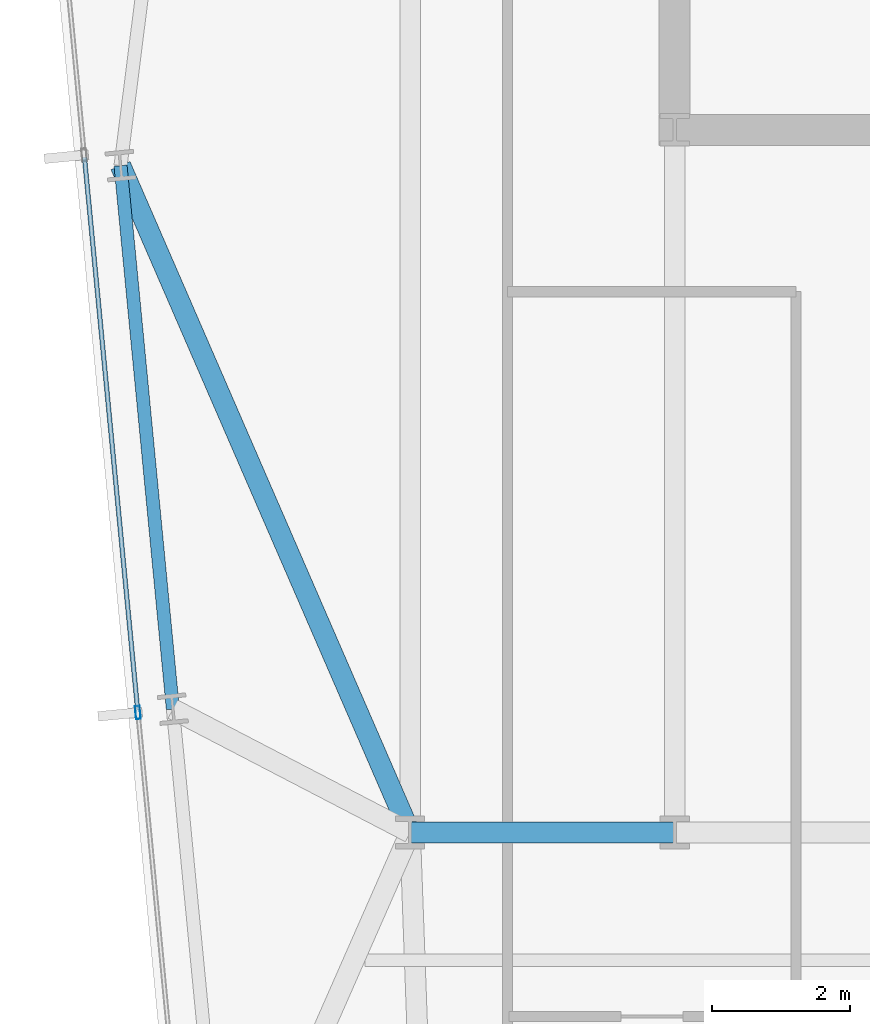
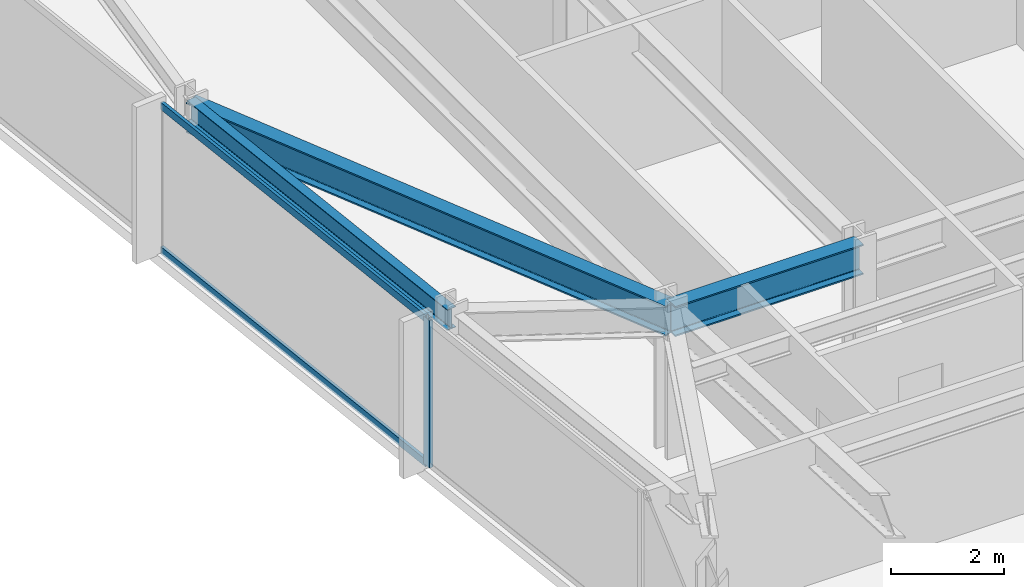
# One storey, part 6 of 33: 3 beams, 3 members, 1 element without a shape of its own.
"""IFC4 building model written with IfcOpenShell, lengths in metres."""

from ifc_helpers import new_model, si_unit, direction, frame, origin, origin_2d, place, context, subcontext, project, spatial, hollow_rectangle, i_section, extrude, material, material_profile, profile_set, type_object, element, aggregate, save


model = new_model("IFC4")

# Units and contexts
model_context = context("Model", 3, precision=1e-05, world=origin(), true_north=direction((0.0, 1.0)))
body_context = subcontext(model_context, "Body", "Model", "MODEL_VIEW")
ifc_project = project(units=[si_unit("LENGTHUNIT", "METRE"), si_unit("AREAUNIT", "SQUARE_METRE"), si_unit("VOLUMEUNIT", "CUBIC_METRE"), si_unit("PLANEANGLEUNIT", "RADIAN"), si_unit("MASSUNIT", "GRAM", prefix="KILO")], contexts=[model_context])

# Site, building, storey
site_placement = place(None, origin())
site = spatial("IfcSite", under=ifc_project, at=site_placement, CompositionType="ELEMENT")
building_placement = place(site_placement, origin())
building = spatial("IfcBuilding", under=site, at=building_placement, Name="Yelkora Congress Tower", CompositionType="ELEMENT")
storey_placement = place(building_placement, frame((0.0, 0.0, 123.699951171875)))
storey = spatial("IfcBuildingStorey", under=building, at=storey_placement, Name="L33", CompositionType="ELEMENT", Elevation=123.699951171875)

# Beams
ifc_material_1 = material(Name="Steel S355J2", Category="steel")
ifc_material_profile_1 = material_profile(ifc_material_1, i_section(OverallWidth=0.300048828125, OverallDepth=0.64990234375, WebThickness=0.01611328125, FlangeThickness=0.031005859375, FilletRadius=0.027099609375, at=origin_2d()), Name="HEB 650")
ifc_profile_set_1 = profile_set([ifc_material_profile_1], Name="Steel S355J2")
beam_type_1 = type_object("IfcBeamType", Name="BM-GIRD-HEB650", PredefinedType="BEAM", material=ifc_profile_set_1)
beam_1_placement = place(storey_placement, frame((19.199951171875, 25.199951171875, 2.85498046875), z_axis=(1.0, 0.0, 0.0), x_axis=(0.0, 1.0, 0.0)))
element("IfcBeam", 1, at=beam_1_placement, inside=storey, type_object=beam_type_1, Name="L33 Spine Grid D Girder 1", PredefinedType="BEAM", context=body_context, shape_type="SweptSolid", body=[
    extrude(i_section(OverallWidth=0.300048828125, OverallDepth=0.64990234375, WebThickness=0.01611328125, FlangeThickness=0.031005859375, FilletRadius=0.027099609375, at=origin_2d()), origin(), (0.0, 0.0, 1.0), 3.840087890625),
])
beam_2_placement = place(storey_placement, frame((14.997314453125, 34.87890625, 2.85498046875), z_axis=(0.398279362914, -0.917264165373, 0.0), x_axis=(0.917264165373, 0.398279362914, 0.0)))
element("IfcBeam", 2, at=beam_2_placement, inside=storey, type_object=beam_type_1, Name="L33 Primary Frame Girder W03", PredefinedType="BEAM", context=body_context, shape_type="SweptSolid", body=[
    extrude(i_section(OverallWidth=0.300048828125, OverallDepth=0.64990234375, WebThickness=0.01611328125, FlangeThickness=0.031005859375, FilletRadius=0.027099609375, at=origin_2d()), origin(), (0.0, 0.0, 1.0), 10.552001953125),
])
ifc_material_profile_2 = material_profile(ifc_material_1, i_section(OverallWidth=0.18994140625, OverallDepth=0.449951171875, WebThickness=0.009521484375, FlangeThickness=0.0146484375, FilletRadius=0.02099609375, at=origin_2d()), Name="IPE 450")
ifc_profile_set_2 = profile_set([ifc_material_profile_2], Name="Steel S355J2")
beam_type_2 = type_object("IfcBeamType", Name="BM-SPAN-IPE450", PredefinedType="SPANDREL", material=ifc_profile_set_2)
beam_3_placement = place(storey_placement, frame((14.997314453125, 34.87890625, 2.955078125), z_axis=(0.095870310714, -0.995393833376, 0.0), x_axis=(0.995393833376, 0.095870310714, 0.0)))
element("IfcBeam", 3, at=beam_3_placement, inside=storey, type_object=beam_type_2, Name="L33 Perimeter Beam 19", PredefinedType="SPANDREL", context=body_context, shape_type="SweptSolid", body=[
    extrude(i_section(OverallWidth=0.18994140625, OverallDepth=0.449951171875, WebThickness=0.009521484375, FlangeThickness=0.0146484375, FilletRadius=0.02099609375, at=origin_2d()), origin(), (0.0, 0.0, 1.0), 7.925048828125),
])

# Curtain wall, members
ifc_material_2 = material(Name="Anodised aluminium and insulated glass", Category="aluminium")
curtain_wall_type = type_object("IfcCurtainWallType", Name="CW-SYS-B2", PredefinedType="NOTDEFINED", material=ifc_material_2)
curtain_wall_placement = place(storey_placement, origin())
curtain_wall = element("IfcCurtainWall", 4, at=curtain_wall_placement, inside=storey, type_object=curtain_wall_type, Name="L33 Unitised Curtain Wall 5", PredefinedType="NOTDEFINED")
ifc_material_3 = material(Name="Anodised aluminium 6063-T6", Category="aluminium")
ifc_material_profile_3 = material_profile(ifc_material_3, hollow_rectangle(XDim=0.070068359375, YDim=0.18994140625, WallThickness=0.00390625, at=origin_2d()), Name="ALU 70x190x4")
ifc_profile_set_3 = profile_set([ifc_material_profile_3], Name="Anodised aluminium 6063-T6")
member_type_1 = type_object("IfcMemberType", Name="MEM-ML-B2", PredefinedType="MULLION", material=ifc_profile_set_3)
member_1_placement = place(storey_placement, frame((15.249267578125, 26.941650390625, 0.0), z_axis=(0.0, 0.0, 1.0), x_axis=(-0.995396507508, -0.095842541913, 0.0)))
member_1 = element("IfcMember", 5, at=member_1_placement, type_object=member_type_1, Name="CW-B2 mullion 3", PredefinedType="MULLION", context=body_context, shape_type="SweptSolid", body=[
    extrude(hollow_rectangle(XDim=0.070068359375, YDim=0.18994140625, WallThickness=0.00390625, at=origin_2d()), origin(), (0.0, 0.0, 1.0), 3.179931640625),
])
ifc_material_profile_4 = material_profile(ifc_material_3, hollow_rectangle(XDim=0.06494140625, YDim=0.159912109375, WallThickness=0.00390625, at=origin_2d()), Name="ALU 65x160x4")
ifc_profile_set_4 = profile_set([ifc_material_profile_4], Name="Anodised aluminium 6063-T6")
member_type_2 = type_object("IfcMemberType", Name="MEM-TR-B2", PredefinedType="USERDEFINED", material=ifc_profile_set_4)
member_2_placement = place(storey_placement, frame((15.245849609375, 26.976318359375, 0.032470703125), z_axis=(-0.095838228465, 0.995396922823, 0.0), x_axis=(-0.995396922823, -0.095838228465, 0.0)))
member_2 = element("IfcMember", 6, at=member_2_placement, type_object=member_type_2, Name="CW-B2 transom 3.1", ObjectType="TRANSOM", PredefinedType="USERDEFINED", context=body_context, shape_type="SweptSolid", body=[
    extrude(hollow_rectangle(XDim=0.06494140625, YDim=0.159912109375, WallThickness=0.00390625, at=origin_2d()), origin(), (0.0, 0.0, 1.0), 8.06005859375),
])
member_3_placement = place(storey_placement, frame((15.245849609375, 26.976318359375, 3.1474609375), z_axis=(-0.095838228465, 0.995396922823, 0.0), x_axis=(-0.995396922823, -0.095838228465, 0.0)))
member_3 = element("IfcMember", 7, at=member_3_placement, type_object=member_type_2, Name="CW-B2 transom 3.2", ObjectType="TRANSOM", PredefinedType="USERDEFINED", context=body_context, shape_type="SweptSolid", body=[
    extrude(hollow_rectangle(XDim=0.06494140625, YDim=0.159912109375, WallThickness=0.00390625, at=origin_2d()), origin(), (0.0, 0.0, 1.0), 8.06005859375),
])
aggregate(curtain_wall, [member_1, member_2, member_3])

save(model, "model.ifc")
